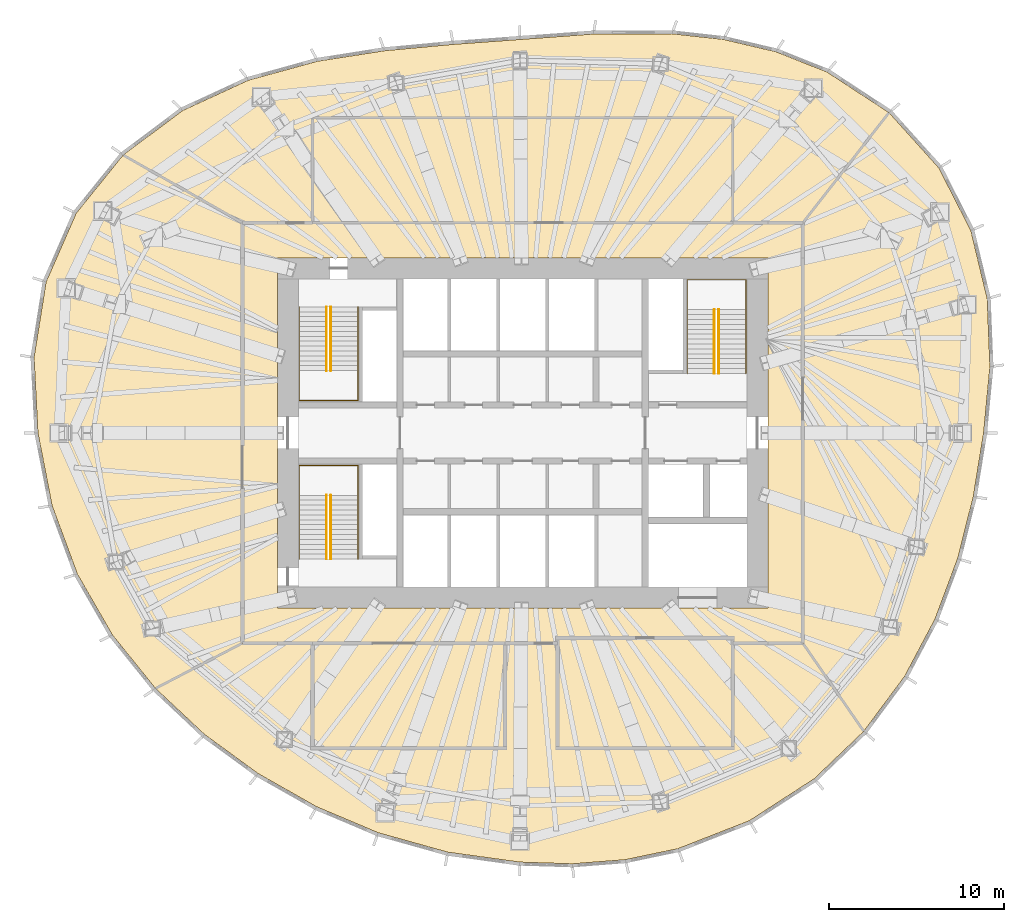
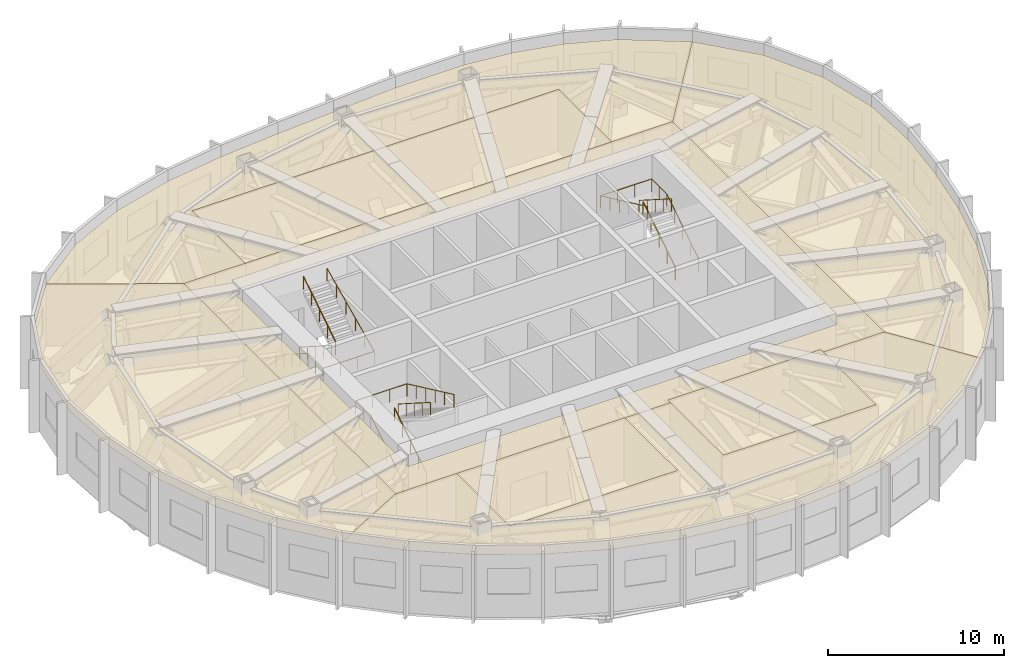
# One storey, part 11 of 11: 9 railings, 8 coverings.
"""IFC4 building model written with IfcOpenShell, lengths in metres."""

from ifc_helpers import new_model, si_unit, direction, frame, origin, origin_2d, place, context, subcontext, project, spatial, polyline, circle, outline, extrude, material, layer, layer_set, type_object, element, save


model = new_model("IFC4")

# Units and contexts
model_context = context("Model", 3, precision=1e-05, world=origin(), true_north=direction((0.0, 1.0)))
body_context = subcontext(model_context, "Body", "Model", "MODEL_VIEW")
ifc_project = project(units=[si_unit("LENGTHUNIT", "METRE"), si_unit("AREAUNIT", "SQUARE_METRE"), si_unit("VOLUMEUNIT", "CUBIC_METRE"), si_unit("PLANEANGLEUNIT", "RADIAN"), si_unit("MASSUNIT", "GRAM", prefix="KILO")], contexts=[model_context])

# Site, building, storey
site_placement = place(None, origin())
site = spatial("IfcSite", under=ifc_project, at=site_placement, CompositionType="ELEMENT")
building_placement = place(site_placement, origin())
building = spatial("IfcBuilding", under=site, at=building_placement, Name="Ghaith Harvest Tower", CompositionType="ELEMENT")
storey_placement = place(building_placement, frame((0.0, 0.0, 266.199951171875)))
storey = spatial("IfcBuildingStorey", under=building, at=storey_placement, Name="L59", CompositionType="ELEMENT", Elevation=266.199951171875)

# Coverings
ifc_material_1 = material(Name="Mineral fibre ceiling tile", Category="gypsum")
ifc_layer = layer(ifc_material_1, 0.02490234375)
ifc_layer_set = layer_set([ifc_layer], Name="CEILING C2")
covering_type = type_object("IfcCoveringType", Name="CEILING C2", PredefinedType="CEILING", material=ifc_layer_set)
covering_1_placement = place(storey_placement, frame((0.0, 0.0, 4.199951171875)))
element("IfcCovering", 1, at=covering_1_placement, inside=storey, type_object=covering_type, Name="Ceiling L59-01", PredefinedType="CEILING", context=body_context, shape_type="SweptSolid", body=[
    extrude(outline(polyline([(-12.0, 12.0), (12.0, 12.0), (12.0, 18.0), (-12.0, 18.0), (-12.0, 12.0)])), origin(), (0.0, 0.0, 1.0), 0.025146484375),
])
covering_2_placement = place(storey_placement, frame((0.0, 0.0, 4.199951171875)))
element("IfcCovering", 2, at=covering_2_placement, inside=storey, type_object=covering_type, Name="Ceiling L59-02", PredefinedType="CEILING", context=body_context, shape_type="SweptSolid", body=[
    extrude(outline(polyline([(-12.0, -18.0), (-1.0, -18.0), (-1.0, -12.0), (-12.0, -12.0), (-12.0, -18.0)])), origin(), (0.0, 0.0, 1.0), 0.025146484375),
])
covering_3_placement = place(storey_placement, frame((0.0, 0.0, 4.199951171875)))
element("IfcCovering", 3, at=covering_3_placement, inside=storey, type_object=covering_type, Name="Ceiling L59-03", PredefinedType="CEILING", context=body_context, shape_type="SweptSolid", body=[
    extrude(outline(polyline([(2.0, -18.0), (12.0, -18.0), (12.0, -11.699951171875), (2.0, -11.699951171875), (2.0, -18.0)])), origin(), (0.0, 0.0, 1.0), 0.025146484375),
])
covering_4_placement = place(storey_placement, frame((0.0, 0.0, 4.199951171875)))
element("IfcCovering", 4, at=covering_4_placement, inside=storey, type_object=covering_type, Name="Ceiling L59-C1", PredefinedType="CEILING", context=body_context, shape_type="SweptSolid", body=[
    extrude(outline(polyline([(-16.0, 12.0), (16.0, 12.0), (16.0, -12.0), (12.0, -12.0), (12.0, -11.699951171875), (2.0, -11.699951171875), (2.0, -12.0), (-16.0, -12.0), (-16.0, 12.0)]), holes=[polyline([(14.0, -10.0), (14.0, 10.0), (-14.0, 10.0), (-14.0, -10.0), (14.0, -10.0)])]), origin(), (0.0, 0.0, 1.0), 0.025146484375),
])
covering_5_placement = place(storey_placement, frame((0.0, 0.0, 4.199951171875)))
element("IfcCovering", 5, at=covering_5_placement, inside=storey, type_object=covering_type, Name="Ceiling L59-N1", PredefinedType="CEILING", context=body_context, shape_type="SweptSolid", body=[
    extrude(outline(polyline([(-19.408203125, 18.41650390625), (-15.6474609375, 20.147705078125), (-11.694580078125, 21.2314453125), (-7.8837890625, 21.827880859375), (-3.963134765625, 22.192138671875), (-0.15380859375, 22.470458984375), (4.03857421875, 22.78125), (8.522216796875, 22.796875), (11.47265625, 22.47265625), (14.460693359375, 21.771484375), (17.382080078125, 20.612548828125), (20.923095703125, 18.295166015625), (16.0, 12.0), (12.0, 12.0), (12.0, 18.0), (-12.0, 18.0), (-12.0, 12.0), (-16.0, 12.0), (-22.809814453125, 15.87109375), (-19.408203125, 18.41650390625)])), origin(), (0.0, 0.0, 1.0), 0.025146484375),
])
covering_6_placement = place(storey_placement, frame((0.0, 0.0, 4.199951171875)))
element("IfcCovering", 6, at=covering_6_placement, inside=storey, type_object=covering_type, Name="Ceiling L59-E1", PredefinedType="CEILING", context=body_context, shape_type="SweptSolid", body=[
    extrude(outline(polyline([(23.77294921875, 15.12939453125), (25.597900390625, 11.55615234375), (26.531005859375, 7.668212890625), (26.685791015625, 3.779052734375), (26.324951171875, 0.0), (25.734375, -3.644287109375), (24.840576171875, -7.179443359375), (23.548828125, -10.631103515625), (21.821533203125, -13.887451171875), (19.48388671875, -17.036865234375), (16.0, -12.0), (16.0, 12.0), (20.923095703125, 18.295166015625), (23.77294921875, 15.12939453125)])), origin(), (0.0, 0.0, 1.0), 0.025146484375),
])
covering_7_placement = place(storey_placement, frame((0.0, 0.0, 4.199951171875)))
element("IfcCovering", 7, at=covering_7_placement, inside=storey, type_object=covering_type, Name="Ceiling L59-S1", PredefinedType="CEILING", context=body_context, shape_type="SweptSolid", body=[
    extrude(outline(polyline([(16.651611328125, -19.746337890625), (12.949462890625, -22.1435546875), (8.8740234375, -23.73779296875), (5.865234375, -24.3662109375), (2.833984375, -24.602294921875), (-0.167724609375, -24.505126953125), (-4.27490234375, -23.9375), (-8.2451171875, -22.82861328125), (-11.75732421875, -21.345703125), (-15.10400390625, -19.447998046875), (-18.15087890625, -17.223388671875), (-20.963134765625, -14.586181640625), (-16.0, -12.0), (-12.0, -12.0), (-12.0, -18.0), (-1.0, -18.0), (-1.0, -12.0), (2.0, -12.0), (2.0, -18.0), (12.0, -18.0), (12.0, -12.0), (16.0, -12.0), (19.48388671875, -17.036865234375), (16.651611328125, -19.746337890625)])), origin(), (0.0, 0.0, 1.0), 0.025146484375),
])
covering_8_placement = place(storey_placement, frame((0.0, 0.0, 4.199951171875)))
element("IfcCovering", 8, at=covering_8_placement, inside=storey, type_object=covering_type, Name="Ceiling L59-W1", PredefinedType="CEILING", context=body_context, shape_type="SweptSolid", body=[
    extrude(outline(polyline([(-23.425537109375, -11.530517578125), (-25.424072265625, -8.057373046875), (-26.86669921875, -4.155517578125), (-27.675048828125, 0.0), (-27.897216796875, 4.314697265625), (-27.211181640625, 8.623779296875), (-25.491943359375, 12.547607421875), (-22.809814453125, 15.87109375), (-16.0, 12.0), (-16.0, -12.0), (-20.963134765625, -14.586181640625), (-23.425537109375, -11.530517578125)])), origin(), (0.0, 0.0, 1.0), 0.025146484375),
])

# Railings
ifc_material_2 = material(Name="Steel, black powder-coated", Category="steel")
railing_type = type_object("IfcRailingType", Name="HANDRAIL HR1", PredefinedType="HANDRAIL", material=ifc_material_2)
railing_1_placement = place(storey_placement, frame((-11.199951171875, 7.199951171875, 0.1787109375)))
element("IfcRailing", 9, at=railing_1_placement, inside=storey, type_object=railing_type, Name="Handrail HR1 stair ST1 L59 flight 1 inner", PredefinedType="HANDRAIL", context=body_context, shape_type="SweptSolid", body=[
    extrude(circle(Radius=0.02392578125, at=origin_2d()), frame((0.0, 0.0, 0.8759765625), z_axis=(0.0, -0.843137146238, 0.537698570422), x_axis=(1.0, 0.0, 0.0)), (0.0, 0.0, 1.0), 4.317138671875),
    extrude(circle(Radius=0.02099609375, at=origin_2d()), origin(), (0.0, 0.0, 1.0), 0.851806640625),
    extrude(circle(Radius=0.02099609375, at=origin_2d()), frame((0.0, -0.909912109375, 0.580322265625)), (0.0, 0.0, 1.0), 0.851806640625),
    extrude(circle(Radius=0.02099609375, at=origin_2d()), frame((0.0, -1.81982421875, 1.16064453125)), (0.0, 0.0, 1.0), 0.851806640625),
    extrude(circle(Radius=0.02099609375, at=origin_2d()), frame((0.0, -2.72998046875, 1.740966796875)), (0.0, 0.0, 1.0), 0.851806640625),
    extrude(circle(Radius=0.02099609375, at=origin_2d()), frame((0.0, -3.639892578125, 2.3212890625)), (0.0, 0.0, 1.0), 0.851806640625),
])
railing_2_placement = place(storey_placement, frame((-10.949951171875, 3.56005859375, 2.6787109375)))
element("IfcRailing", 10, at=railing_2_placement, inside=storey, type_object=railing_type, Name="Handrail HR1 stair ST1 L59 flight 2 inner", PredefinedType="HANDRAIL", context=body_context, shape_type="SweptSolid", body=[
    extrude(circle(Radius=0.02392578125, at=origin_2d()), frame((0.0, 0.0, 0.8759765625), z_axis=(0.0, 0.843137146238, 0.537698570422), x_axis=(-1.0, 0.0, 0.0)), (0.0, 0.0, 1.0), 4.317138671875),
    extrude(circle(Radius=0.02099609375, at=origin_2d()), origin(), (0.0, 0.0, 1.0), 0.851806640625),
    extrude(circle(Radius=0.02099609375, at=origin_2d()), frame((0.0, 0.909912109375, 0.580322265625)), (0.0, 0.0, 1.0), 0.851806640625),
    extrude(circle(Radius=0.02099609375, at=origin_2d()), frame((0.0, 1.81982421875, 1.16064453125)), (0.0, 0.0, 1.0), 0.851806640625),
    extrude(circle(Radius=0.02099609375, at=origin_2d()), frame((0.0, 2.72998046875, 1.740966796875)), (0.0, 0.0, 1.0), 0.851806640625),
    extrude(circle(Radius=0.02099609375, at=origin_2d()), frame((0.0, 3.639892578125, 2.3212890625)), (0.0, 0.0, 1.0), 0.851806640625),
])
railing_3_placement = place(storey_placement, frame((-12.75, 7.199951171875, 0.1787109375)))
element("IfcRailing", 11, at=railing_3_placement, inside=storey, type_object=railing_type, Name="Handrail HR1 stair ST1 L59 wall side", PredefinedType="HANDRAIL", context=body_context, shape_type="SweptSolid", body=[
    extrude(circle(Radius=0.02392578125, at=origin_2d()), frame((0.0, 0.0, 0.8759765625), z_axis=(0.0, -0.843137146238, 0.537698570422), x_axis=(1.0, 0.0, 0.0)), (0.0, 0.0, 1.0), 4.317138671875),
    extrude(circle(Radius=0.02392578125, at=origin_2d()), frame((0.0, -3.639892578125, 3.197265625), z_axis=(0.0, -1.0, 0.0), x_axis=(1.0, 0.0, 0.0)), (0.0, 0.0, 1.0), 1.7099609375),
    extrude(circle(Radius=0.02392578125, at=origin_2d()), frame((0.0, -5.349853515625, 3.197265625), z_axis=(1.0, 0.0, 0.0), x_axis=(0.0, 1.0, 0.0)), (0.0, 0.0, 1.0), 3.35009765625),
    extrude(circle(Radius=0.02392578125, at=origin_2d()), frame((3.35009765625, -5.349853515625, 3.197265625), z_axis=(0.0, 0.905962265858, 0.423358444868), x_axis=(-1.0, 0.0, 0.0)), (0.0, 0.0, 1.0), 5.9052734375),
    extrude(circle(Radius=0.02099609375, at=origin_2d()), origin(), (0.0, 0.0, 1.0), 0.851806640625),
    extrude(circle(Radius=0.02099609375, at=origin_2d()), frame((0.0, -0.909912109375, 0.580322265625)), (0.0, 0.0, 1.0), 0.851806640625),
    extrude(circle(Radius=0.02099609375, at=origin_2d()), frame((0.0, -1.81982421875, 1.16064453125)), (0.0, 0.0, 1.0), 0.851806640625),
    extrude(circle(Radius=0.02099609375, at=origin_2d()), frame((0.0, -2.72998046875, 1.740966796875)), (0.0, 0.0, 1.0), 0.851806640625),
    extrude(circle(Radius=0.02099609375, at=origin_2d()), frame((0.0, -3.639892578125, 2.3212890625)), (0.0, 0.0, 1.0), 0.851806640625),
    extrude(circle(Radius=0.02099609375, at=origin_2d()), frame((0.0, -4.494873046875, 2.3212890625)), (0.0, 0.0, 1.0), 0.851806640625),
    extrude(circle(Radius=0.02099609375, at=origin_2d()), frame((0.0, -5.349853515625, 2.3212890625)), (0.0, 0.0, 1.0), 0.851806640625),
    extrude(circle(Radius=0.02099609375, at=origin_2d()), frame((1.11669921875, -5.349853515625, 2.3212890625)), (0.0, 0.0, 1.0), 0.851806640625),
    extrude(circle(Radius=0.02099609375, at=origin_2d()), frame((2.2333984375, -5.349853515625, 2.3212890625)), (0.0, 0.0, 1.0), 0.851806640625),
    extrude(circle(Radius=0.02099609375, at=origin_2d()), frame((3.35009765625, -5.349853515625, 2.3212890625)), (0.0, 0.0, 1.0), 0.851806640625),
    extrude(circle(Radius=0.02099609375, at=origin_2d()), frame((3.35009765625, -4.27978515625, 2.8212890625)), (0.0, 0.0, 1.0), 0.851806640625),
    extrude(circle(Radius=0.02099609375, at=origin_2d()), frame((3.35009765625, -3.2099609375, 3.3212890625)), (0.0, 0.0, 1.0), 0.851806640625),
    extrude(circle(Radius=0.02099609375, at=origin_2d()), frame((3.35009765625, -2.139892578125, 3.8212890625)), (0.0, 0.0, 1.0), 0.851806640625),
    extrude(circle(Radius=0.02099609375, at=origin_2d()), frame((3.35009765625, -1.070068359375, 4.3212890625)), (0.0, 0.0, 1.0), 0.851806640625),
    extrude(circle(Radius=0.02099609375, at=origin_2d()), frame((3.35009765625, 0.0, 4.8212890625)), (0.0, 0.0, 1.0), 0.851806640625),
])
railing_4_placement = place(storey_placement, frame((-11.199951171875, -7.199951171875, 0.1787109375)))
element("IfcRailing", 12, at=railing_4_placement, inside=storey, type_object=railing_type, Name="Handrail HR1 stair ST3 L59 flight 1 inner", PredefinedType="HANDRAIL", context=body_context, shape_type="SweptSolid", body=[
    extrude(circle(Radius=0.02392578125, at=origin_2d()), frame((0.0, 0.0, 0.8759765625), z_axis=(0.0, 0.843137146238, 0.537698570422), x_axis=(-1.0, 0.0, 0.0)), (0.0, 0.0, 1.0), 4.317138671875),
    extrude(circle(Radius=0.02099609375, at=origin_2d()), origin(), (0.0, 0.0, 1.0), 0.851806640625),
    extrude(circle(Radius=0.02099609375, at=origin_2d()), frame((0.0, 0.909912109375, 0.580322265625)), (0.0, 0.0, 1.0), 0.851806640625),
    extrude(circle(Radius=0.02099609375, at=origin_2d()), frame((0.0, 1.81982421875, 1.16064453125)), (0.0, 0.0, 1.0), 0.851806640625),
    extrude(circle(Radius=0.02099609375, at=origin_2d()), frame((0.0, 2.72998046875, 1.740966796875)), (0.0, 0.0, 1.0), 0.851806640625),
    extrude(circle(Radius=0.02099609375, at=origin_2d()), frame((0.0, 3.639892578125, 2.3212890625)), (0.0, 0.0, 1.0), 0.851806640625),
])
railing_5_placement = place(storey_placement, frame((-10.949951171875, -3.56005859375, 2.6787109375)))
element("IfcRailing", 13, at=railing_5_placement, inside=storey, type_object=railing_type, Name="Handrail HR1 stair ST3 L59 flight 2 inner", PredefinedType="HANDRAIL", context=body_context, shape_type="SweptSolid", body=[
    extrude(circle(Radius=0.02392578125, at=origin_2d()), frame((0.0, 0.0, 0.8759765625), z_axis=(0.0, -0.843137146238, 0.537698570422), x_axis=(1.0, 0.0, 0.0)), (0.0, 0.0, 1.0), 4.317138671875),
    extrude(circle(Radius=0.02099609375, at=origin_2d()), origin(), (0.0, 0.0, 1.0), 0.851806640625),
    extrude(circle(Radius=0.02099609375, at=origin_2d()), frame((0.0, -0.909912109375, 0.580322265625)), (0.0, 0.0, 1.0), 0.851806640625),
    extrude(circle(Radius=0.02099609375, at=origin_2d()), frame((0.0, -1.81982421875, 1.16064453125)), (0.0, 0.0, 1.0), 0.851806640625),
    extrude(circle(Radius=0.02099609375, at=origin_2d()), frame((0.0, -2.72998046875, 1.740966796875)), (0.0, 0.0, 1.0), 0.851806640625),
    extrude(circle(Radius=0.02099609375, at=origin_2d()), frame((0.0, -3.639892578125, 2.3212890625)), (0.0, 0.0, 1.0), 0.851806640625),
])
railing_6_placement = place(storey_placement, frame((-12.75, -7.199951171875, 0.1787109375)))
element("IfcRailing", 14, at=railing_6_placement, inside=storey, type_object=railing_type, Name="Handrail HR1 stair ST3 L59 wall side", PredefinedType="HANDRAIL", context=body_context, shape_type="SweptSolid", body=[
    extrude(circle(Radius=0.02392578125, at=origin_2d()), frame((0.0, 0.0, 0.8759765625), z_axis=(0.0, 0.843137146238, 0.537698570422), x_axis=(-1.0, 0.0, 0.0)), (0.0, 0.0, 1.0), 4.317138671875),
    extrude(circle(Radius=0.02392578125, at=origin_2d()), frame((0.0, 3.639892578125, 3.197265625), z_axis=(0.0, 1.0, 0.0), x_axis=(-1.0, 0.0, 0.0)), (0.0, 0.0, 1.0), 1.7099609375),
    extrude(circle(Radius=0.02392578125, at=origin_2d()), frame((0.0, 5.349853515625, 3.197265625), z_axis=(1.0, 0.0, 0.0), x_axis=(0.0, 1.0, 0.0)), (0.0, 0.0, 1.0), 3.35009765625),
    extrude(circle(Radius=0.02392578125, at=origin_2d()), frame((3.35009765625, 5.349853515625, 3.197265625), z_axis=(0.0, -0.905962265858, 0.423358444868), x_axis=(1.0, 0.0, 0.0)), (0.0, 0.0, 1.0), 5.9052734375),
    extrude(circle(Radius=0.02099609375, at=origin_2d()), origin(), (0.0, 0.0, 1.0), 0.851806640625),
    extrude(circle(Radius=0.02099609375, at=origin_2d()), frame((0.0, 0.909912109375, 0.580322265625)), (0.0, 0.0, 1.0), 0.851806640625),
    extrude(circle(Radius=0.02099609375, at=origin_2d()), frame((0.0, 1.81982421875, 1.16064453125)), (0.0, 0.0, 1.0), 0.851806640625),
    extrude(circle(Radius=0.02099609375, at=origin_2d()), frame((0.0, 2.72998046875, 1.740966796875)), (0.0, 0.0, 1.0), 0.851806640625),
    extrude(circle(Radius=0.02099609375, at=origin_2d()), frame((0.0, 3.639892578125, 2.3212890625)), (0.0, 0.0, 1.0), 0.851806640625),
    extrude(circle(Radius=0.02099609375, at=origin_2d()), frame((0.0, 4.494873046875, 2.3212890625)), (0.0, 0.0, 1.0), 0.851806640625),
    extrude(circle(Radius=0.02099609375, at=origin_2d()), frame((0.0, 5.349853515625, 2.3212890625)), (0.0, 0.0, 1.0), 0.851806640625),
    extrude(circle(Radius=0.02099609375, at=origin_2d()), frame((1.11669921875, 5.349853515625, 2.3212890625)), (0.0, 0.0, 1.0), 0.851806640625),
    extrude(circle(Radius=0.02099609375, at=origin_2d()), frame((2.2333984375, 5.349853515625, 2.3212890625)), (0.0, 0.0, 1.0), 0.851806640625),
    extrude(circle(Radius=0.02099609375, at=origin_2d()), frame((3.35009765625, 5.349853515625, 2.3212890625)), (0.0, 0.0, 1.0), 0.851806640625),
    extrude(circle(Radius=0.02099609375, at=origin_2d()), frame((3.35009765625, 4.27978515625, 2.8212890625)), (0.0, 0.0, 1.0), 0.851806640625),
    extrude(circle(Radius=0.02099609375, at=origin_2d()), frame((3.35009765625, 3.2099609375, 3.3212890625)), (0.0, 0.0, 1.0), 0.851806640625),
    extrude(circle(Radius=0.02099609375, at=origin_2d()), frame((3.35009765625, 2.139892578125, 3.8212890625)), (0.0, 0.0, 1.0), 0.851806640625),
    extrude(circle(Radius=0.02099609375, at=origin_2d()), frame((3.35009765625, 1.070068359375, 4.3212890625)), (0.0, 0.0, 1.0), 0.851806640625),
    extrude(circle(Radius=0.02099609375, at=origin_2d()), frame((3.35009765625, 0.0, 4.8212890625)), (0.0, 0.0, 1.0), 0.851806640625),
])
railing_7_placement = place(storey_placement, frame((11.199951171875, 3.39990234375, 0.1787109375)))
element("IfcRailing", 15, at=railing_7_placement, inside=storey, type_object=railing_type, Name="Handrail HR1 stair ST2 L59 flight 1 inner", PredefinedType="HANDRAIL", context=body_context, shape_type="SweptSolid", body=[
    extrude(circle(Radius=0.02392578125, at=origin_2d()), frame((0.0, 0.0, 0.8759765625), z_axis=(0.0, 0.843153495434, 0.537672933239), x_axis=(-1.0, 0.0, 0.0)), (0.0, 0.0, 1.0), 4.3173828125),
    extrude(circle(Radius=0.02099609375, at=origin_2d()), origin(), (0.0, 0.0, 1.0), 0.851806640625),
    extrude(circle(Radius=0.02099609375, at=origin_2d()), frame((0.0, 0.91015625, 0.580322265625)), (0.0, 0.0, 1.0), 0.851806640625),
    extrude(circle(Radius=0.02099609375, at=origin_2d()), frame((0.0, 1.820068359375, 1.16064453125)), (0.0, 0.0, 1.0), 0.851806640625),
    extrude(circle(Radius=0.02099609375, at=origin_2d()), frame((0.0, 2.72998046875, 1.740966796875)), (0.0, 0.0, 1.0), 0.851806640625),
    extrude(circle(Radius=0.02099609375, at=origin_2d()), frame((0.0, 3.64013671875, 2.3212890625)), (0.0, 0.0, 1.0), 0.851806640625),
])
railing_8_placement = place(storey_placement, frame((10.949951171875, 7.0400390625, 2.6787109375)))
element("IfcRailing", 16, at=railing_8_placement, inside=storey, type_object=railing_type, Name="Handrail HR1 stair ST2 L59 flight 2 inner", PredefinedType="HANDRAIL", context=body_context, shape_type="SweptSolid", body=[
    extrude(circle(Radius=0.02392578125, at=origin_2d()), frame((0.0, 0.0, 0.8759765625), z_axis=(0.0, -0.843153495434, 0.537672933239), x_axis=(1.0, 0.0, 0.0)), (0.0, 0.0, 1.0), 4.3173828125),
    extrude(circle(Radius=0.02099609375, at=origin_2d()), origin(), (0.0, 0.0, 1.0), 0.851806640625),
    extrude(circle(Radius=0.02099609375, at=origin_2d()), frame((0.0, -0.91015625, 0.580322265625)), (0.0, 0.0, 1.0), 0.851806640625),
    extrude(circle(Radius=0.02099609375, at=origin_2d()), frame((0.0, -1.820068359375, 1.16064453125)), (0.0, 0.0, 1.0), 0.851806640625),
    extrude(circle(Radius=0.02099609375, at=origin_2d()), frame((0.0, -2.72998046875, 1.740966796875)), (0.0, 0.0, 1.0), 0.851806640625),
    extrude(circle(Radius=0.02099609375, at=origin_2d()), frame((0.0, -3.64013671875, 2.3212890625)), (0.0, 0.0, 1.0), 0.851806640625),
])
railing_9_placement = place(storey_placement, frame((12.75, 3.39990234375, 0.1787109375)))
element("IfcRailing", 17, at=railing_9_placement, inside=storey, type_object=railing_type, Name="Handrail HR1 stair ST2 L59 wall side", PredefinedType="HANDRAIL", context=body_context, shape_type="SweptSolid", body=[
    extrude(circle(Radius=0.02392578125, at=origin_2d()), frame((0.0, 0.0, 0.8759765625), z_axis=(0.0, 0.843153495434, 0.537672933239), x_axis=(-1.0, 0.0, 0.0)), (0.0, 0.0, 1.0), 4.3173828125),
    extrude(circle(Radius=0.02392578125, at=origin_2d()), frame((0.0, 3.64013671875, 3.197265625), z_axis=(0.0, 1.0, 0.0), x_axis=(-1.0, 0.0, 0.0)), (0.0, 0.0, 1.0), 1.7099609375),
    extrude(circle(Radius=0.02392578125, at=origin_2d()), frame((0.0, 5.35009765625, 3.197265625), z_axis=(-1.0, 0.0, 0.0), x_axis=(0.0, -1.0, 0.0)), (0.0, 0.0, 1.0), 3.35009765625),
    extrude(circle(Radius=0.02392578125, at=origin_2d()), frame((-3.35009765625, 5.35009765625, 3.197265625), z_axis=(0.0, -0.905969675553, 0.423342588193), x_axis=(1.0, 0.0, 0.0)), (0.0, 0.0, 1.0), 5.9052734375),
    extrude(circle(Radius=0.02099609375, at=origin_2d()), origin(), (0.0, 0.0, 1.0), 0.851806640625),
    extrude(circle(Radius=0.02099609375, at=origin_2d()), frame((0.0, 0.91015625, 0.580322265625)), (0.0, 0.0, 1.0), 0.851806640625),
    extrude(circle(Radius=0.02099609375, at=origin_2d()), frame((0.0, 1.820068359375, 1.16064453125)), (0.0, 0.0, 1.0), 0.851806640625),
    extrude(circle(Radius=0.02099609375, at=origin_2d()), frame((0.0, 2.72998046875, 1.740966796875)), (0.0, 0.0, 1.0), 0.851806640625),
    extrude(circle(Radius=0.02099609375, at=origin_2d()), frame((0.0, 3.64013671875, 2.3212890625)), (0.0, 0.0, 1.0), 0.851806640625),
    extrude(circle(Radius=0.02099609375, at=origin_2d()), frame((0.0, 4.4951171875, 2.3212890625)), (0.0, 0.0, 1.0), 0.851806640625),
    extrude(circle(Radius=0.02099609375, at=origin_2d()), frame((0.0, 5.35009765625, 2.3212890625)), (0.0, 0.0, 1.0), 0.851806640625),
    extrude(circle(Radius=0.02099609375, at=origin_2d()), frame((-1.11669921875, 5.35009765625, 2.3212890625)), (0.0, 0.0, 1.0), 0.851806640625),
    extrude(circle(Radius=0.02099609375, at=origin_2d()), frame((-2.2333984375, 5.35009765625, 2.3212890625)), (0.0, 0.0, 1.0), 0.851806640625),
    extrude(circle(Radius=0.02099609375, at=origin_2d()), frame((-3.35009765625, 5.35009765625, 2.3212890625)), (0.0, 0.0, 1.0), 0.851806640625),
    extrude(circle(Radius=0.02099609375, at=origin_2d()), frame((-3.35009765625, 4.280029296875, 2.8212890625)), (0.0, 0.0, 1.0), 0.851806640625),
    extrude(circle(Radius=0.02099609375, at=origin_2d()), frame((-3.35009765625, 3.2099609375, 3.3212890625)), (0.0, 0.0, 1.0), 0.851806640625),
    extrude(circle(Radius=0.02099609375, at=origin_2d()), frame((-3.35009765625, 2.14013671875, 3.8212890625)), (0.0, 0.0, 1.0), 0.851806640625),
    extrude(circle(Radius=0.02099609375, at=origin_2d()), frame((-3.35009765625, 1.070068359375, 4.3212890625)), (0.0, 0.0, 1.0), 0.851806640625),
    extrude(circle(Radius=0.02099609375, at=origin_2d()), frame((-3.35009765625, 0.0, 4.8212890625)), (0.0, 0.0, 1.0), 0.851806640625),
])

save(model, "model.ifc")
